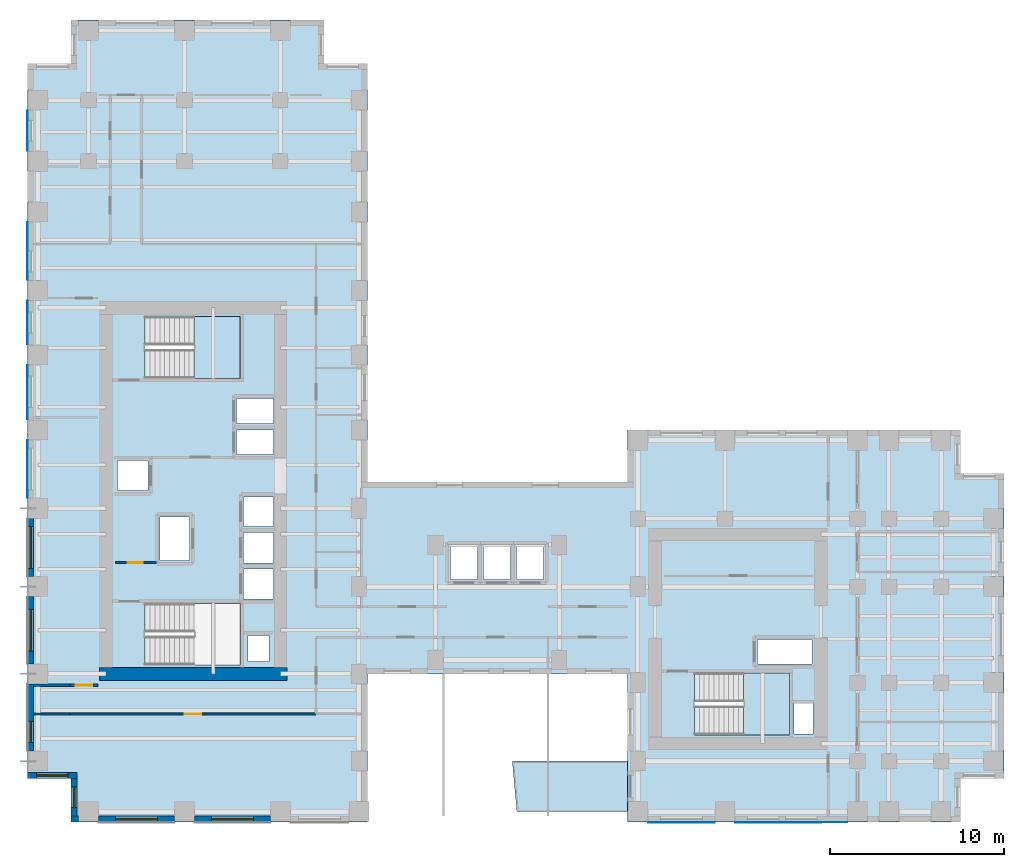
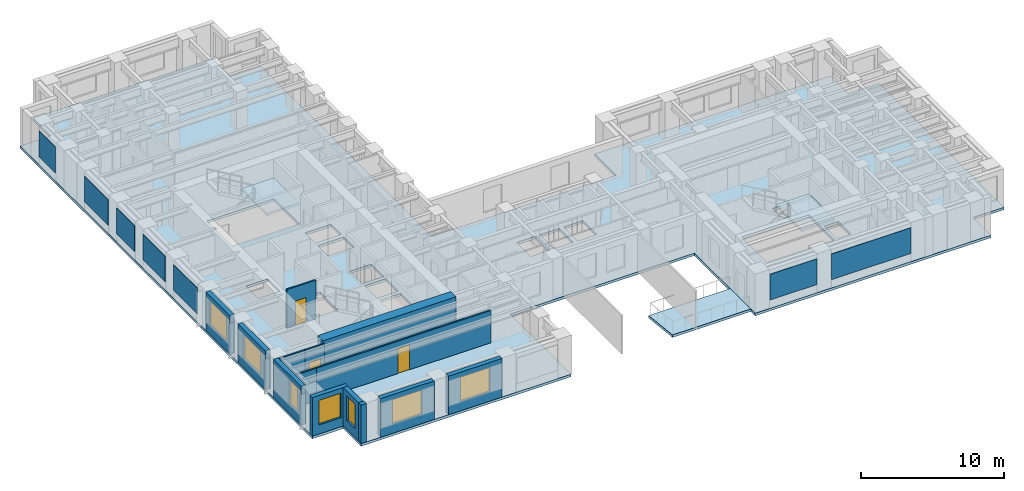
# One storey, part 3 of 12: 14 walls, 7 plates, 7 windows, 4 slabs, 3 doors, 10 openings, 2 elements without a shape of their own.
"""IFC4 building model written with IfcOpenShell, lengths in metres."""

import ifcopenshell
import ifcopenshell.guid

model = None  # the IFC model being written
_history = None  # IfcOwnerHistory: only IFC2X3 demands one
_inside = {}  # id of a spatial element -> (the spatial element, [elements in it])
_under = {}  # id of a project, library or spatial element -> (it, [spatial elements below it])
_declared = {}  # id of a project -> (the project, [libraries it declares])
_typed = {}  # id of a type object -> (the type object, [elements of that type])
_made_of = {}  # id of a material, layer set ... -> (it, [elements and type objects made of it])


def new_model(schema):
    """Start an empty IFC model of exactly this schema.

    Asked for "IFC4X3", IfcOpenShell would pick the latest addendum, in which some entities
    have other attributes; the version numbers below select the first issue.
    IFC2X3 requires an IfcOwnerHistory on every rooted entity: one is made here for all.
    """
    global model, _history
    if schema == "IFC4X3":
        model = ifcopenshell.file(schema_version=(4, 3, 0, 0))
    else:
        model = ifcopenshell.file(schema=schema)
    _inside.clear()
    _under.clear()
    _declared.clear()
    _typed.clear()
    _made_of.clear()
    _history = None
    if model.schema == "IFC2X3":
        org = make("IfcOrganization", Name="unknown")
        user = make(
            "IfcPersonAndOrganization",
            ThePerson=make("IfcPerson", FamilyName="unknown"),
            TheOrganization=org,
        )
        app = make(
            "IfcApplication",
            ApplicationDeveloper=org,
            Version="unknown",
            ApplicationFullName="unknown",
            ApplicationIdentifier="unknown",
        )
        _history = make(
            "IfcOwnerHistory",
            OwningUser=user,
            OwningApplication=app,
            ChangeAction="ADDED",
            CreationDate=0,
        )
    return model


def make(cls, **values):
    """One entity of the class cls with the attributes given. An attribute that is None is left unset."""
    return model.create_entity(
        cls, **{name: value for name, value in values.items() if value is not None}
    )


def rooted(cls, **values):
    """An entity with a GlobalId (a new one), such as an element, a storey or a relation."""
    return make(cls, GlobalId=ifcopenshell.guid.new(), OwnerHistory=_history, **values)


def si_unit(unit_type, name, prefix=None):
    """IfcSIUnit, for example si_unit("LENGTHUNIT", "METRE", prefix="MILLI")."""
    return make("IfcSIUnit", UnitType=unit_type, Prefix=prefix, Name=name)


def assignment(units):
    """IfcUnitAssignment: the units of a project."""
    return None if units is None else make("IfcUnitAssignment", Units=units)


def point(xyz):
    """IfcCartesianPoint."""
    return None if xyz is None else make("IfcCartesianPoint", Coordinates=xyz)


def direction(xyz):
    """IfcDirection."""
    return None if xyz is None else make("IfcDirection", DirectionRatios=xyz)


def frame(location, z_axis=None, x_axis=None):
    """IfcAxis2Placement3D, a coordinate frame: its origin and axes. An axis left out is left unset."""
    return make(
        "IfcAxis2Placement3D",
        Location=point(location),
        Axis=direction(z_axis),
        RefDirection=direction(x_axis),
    )


def frame_2d(location, x_axis=None):
    """IfcAxis2Placement2D, a coordinate frame in the plane: its origin and x axis."""
    return make(
        "IfcAxis2Placement2D", Location=point(location), RefDirection=direction(x_axis)
    )


def origin():
    """The frame at (0, 0, 0) with its axes left unset."""
    return frame((0.0, 0.0, 0.0))


def origin_2d():
    """The frame at (0, 0) in the plane with its x axis left unset."""
    return frame_2d((0.0, 0.0))


def place(relative_to, where):
    """IfcLocalPlacement: puts the frame where relative to a parent placement (None: the world)."""
    return make(
        "IfcLocalPlacement", PlacementRelTo=relative_to, RelativePlacement=where
    )


def context(
    kind, dimensions, precision=None, world=None, true_north=None, identifier=None
):
    """IfcGeometricRepresentationContext, for example the 3D "Model" context."""
    return make(
        "IfcGeometricRepresentationContext",
        ContextIdentifier=identifier,
        ContextType=kind,
        CoordinateSpaceDimension=dimensions,
        Precision=precision,
        WorldCoordinateSystem=world,
        TrueNorth=true_north,
    )


def subcontext(parent, identifier, kind, view, scale=None):
    """IfcGeometricRepresentationSubContext, for example "Body" below "Model"."""
    return make(
        "IfcGeometricRepresentationSubContext",
        ContextIdentifier=identifier,
        ContextType=kind,
        ParentContext=parent,
        TargetScale=scale,
        TargetView=view,
    )


def project(units=None, contexts=None):
    """IfcProject with its units and contexts."""
    return rooted(
        "IfcProject",
        Name="project",
        RepresentationContexts=contexts,
        UnitsInContext=assignment(units),
    )


def spatial(cls, under=None, at=None, **own):
    """A site, building, storey or space (cls), placed at a placement, below another one or the project."""
    s = rooted(cls, ObjectPlacement=at, **own)
    if under is not None:
        _under.setdefault(under.id(), (under, []))[1].append(s)
    return s


def polyline(points):
    """IfcPolyline through the points."""
    return make("IfcPolyline", Points=[point(p) for p in points])


def profile(cls, at=None, kind="AREA", **sizes):
    """A parametric profile (cls). Its sizes go by their IFC names, for example OverallWidth=200.0."""
    return make(cls, ProfileType=kind, Position=at, **sizes)


def rectangle(**sizes):
    """IfcRectangleProfileDef."""
    return profile("IfcRectangleProfileDef", **sizes)


def outline(outer, holes=None, kind="AREA"):
    """IfcArbitraryClosedProfileDef: a profile drawn as a closed curve; with holes, ...WithVoids."""
    if holes is None:
        return make("IfcArbitraryClosedProfileDef", ProfileType=kind, OuterCurve=outer)
    return make(
        "IfcArbitraryProfileDefWithVoids",
        ProfileType=kind,
        OuterCurve=outer,
        InnerCurves=holes,
    )


def extrude(swept, where, along, depth):
    """IfcExtrudedAreaSolid: the profile swept, set in the frame where, extruded along a direction by depth."""
    return make(
        "IfcExtrudedAreaSolid",
        SweptArea=swept,
        Position=where,
        ExtrudedDirection=direction(along),
        Depth=depth,
    )


def shape(context_of_items, identifier, shape_type, items):
    """IfcShapeRepresentation: the items that make up one representation, for example the "Body"."""
    return make(
        "IfcShapeRepresentation",
        ContextOfItems=context_of_items,
        RepresentationIdentifier=identifier,
        RepresentationType=shape_type,
        Items=items,
    )


def source(mapping_origin, context_of_items, identifier, shape_type, items):
    """IfcRepresentationMap: a shape defined once, which mapped items show again and again."""
    return make(
        "IfcRepresentationMap",
        MappingOrigin=mapping_origin,
        MappedRepresentation=shape(context_of_items, identifier, shape_type, items),
    )


def transform(
    local_origin,
    x_axis=None,
    y_axis=None,
    z_axis=None,
    scale=None,
    scale2=None,
    scale3=None,
    uniform=True,
):
    """IfcCartesianTransformationOperator3D, or its non-uniform kind. x_axis, y_axis, z_axis: its Axis1, 2, 3."""
    if uniform:
        return make(
            "IfcCartesianTransformationOperator3D",
            Axis1=direction(x_axis),
            Axis2=direction(y_axis),
            LocalOrigin=point(local_origin),
            Scale=scale,
            Axis3=direction(z_axis),
        )
    return make(
        "IfcCartesianTransformationOperator3DnonUniform",
        Axis1=direction(x_axis),
        Axis2=direction(y_axis),
        LocalOrigin=point(local_origin),
        Scale=scale,
        Axis3=direction(z_axis),
        Scale2=scale2,
        Scale3=scale3,
    )


def mapped(mapping_source, mapping_target):
    """IfcMappedItem: shows the shape of a source again, moved by a transform."""
    return make(
        "IfcMappedItem", MappingSource=mapping_source, MappingTarget=mapping_target
    )


def material(Name=None, Category=None):
    """IfcMaterial."""
    return make("IfcMaterial", Name=Name, Category=Category)


def layer(
    of_material, thickness, ventilated=None, Name=None, Category=None, Priority=None
):
    """IfcMaterialLayer: one layer of a wall or slab, of a material (None: an air gap)."""
    return make(
        "IfcMaterialLayer",
        Material=of_material,
        LayerThickness=thickness,
        IsVentilated=ventilated,
        Name=Name,
        Category=Category,
        Priority=Priority,
    )


def layer_set(layers, Name=None):
    """IfcMaterialLayerSet."""
    return make("IfcMaterialLayerSet", MaterialLayers=layers, LayerSetName=Name)


def made_of(thing, what):
    """Note that an element or type object is made of a material, layer set ...; save() writes the relation."""
    if what is not None:
        _made_of.setdefault(what.id(), (what, []))[1].append(thing)
    return thing


def type_object(cls, material=None, **own):
    """A type object (cls), such as IfcWallType, which elements share."""
    return made_of(rooted(cls, **own), material)


def element(
    cls,
    number,
    at=None,
    inside=None,
    cuts=None,
    type_object=None,
    material=None,
    context=None,
    identifier="Body",
    shape_type=None,
    held_by="IfcProductDefinitionShape",
    body=None,
    shapes=None,
    **own,
):
    """One element of the class cls, such as IfcWall. Its Tag is "e" and its number.

    at: its placement. inside: the storey or other place that contains it. cuts: it is an
    opening in that element (IfcRelVoidsElement). A single representation is given by context,
    identifier, shape_type and body (its items); several are given by shapes. held_by: the class
    of the entity that holds the representations. save() writes the other relations.
    """
    e = rooted(cls, Tag="e%d" % number, ObjectPlacement=at, **own)
    if body is not None:
        shapes = [shape(context, identifier, shape_type, body)]
    if shapes is not None:
        e.Representation = make(held_by, Representations=shapes)
    if inside is not None:
        _inside.setdefault(inside.id(), (inside, []))[1].append(e)
    if cuts is not None:
        rooted(
            "IfcRelVoidsElement", RelatingBuildingElement=cuts, RelatedOpeningElement=e
        )
    if type_object is not None:
        _typed.setdefault(type_object.id(), (type_object, []))[1].append(e)
    return made_of(e, material)


def fill(opening, filler):
    """IfcRelFillsElement: the door or window that sits in an opening."""
    return rooted(
        "IfcRelFillsElement",
        RelatingOpeningElement=opening,
        RelatedBuildingElement=filler,
    )


def aggregate(whole, parts):
    """IfcRelAggregates: a whole, such as a stair, and the parts it consists of."""
    return rooted("IfcRelAggregates", RelatingObject=whole, RelatedObjects=parts)


def save(model, path):
    """Write the relations noted so far, then the file.

    IfcRelAggregates (storeys below a building ...), IfcRelContainedInSpatialStructure (elements
    in a storey), IfcRelDefinesByType, IfcRelAssociatesMaterial and IfcRelDeclares: one each for
    every whole, place, type object, material and project.
    """
    for whole, parts in _under.values():
        aggregate(whole, parts)
    for where, things in _inside.values():
        rooted(
            "IfcRelContainedInSpatialStructure",
            RelatedElements=things,
            RelatingStructure=where,
        )
    for kind, things in _typed.values():
        rooted("IfcRelDefinesByType", RelatedObjects=things, RelatingType=kind)
    for what, things in _made_of.values():
        rooted("IfcRelAssociatesMaterial", RelatedObjects=things, RelatingMaterial=what)
    for by, libraries in _declared.values():
        rooted("IfcRelDeclares", RelatingContext=by, RelatedDefinitions=libraries)
    model.write(path)


model = new_model("IFC4")

# Units and contexts
model_context = context("Model", 3, precision=1e-05, world=origin(), true_north=direction((0.0, 1.0)))
body_context = subcontext(model_context, "Body", "Model", "MODEL_VIEW")
ifc_project = project(units=[si_unit("LENGTHUNIT", "METRE"), si_unit("AREAUNIT", "SQUARE_METRE"), si_unit("VOLUMEUNIT", "CUBIC_METRE"), si_unit("PLANEANGLEUNIT", "RADIAN"), si_unit("MASSUNIT", "GRAM", prefix="KILO")], contexts=[model_context])

# Site, building, storey
site_placement = place(None, origin())
site = spatial("IfcSite", under=ifc_project, at=site_placement, CompositionType="ELEMENT")
building_placement = place(site_placement, origin())
building = spatial("IfcBuilding", under=site, at=building_placement, Name="Kharzan Plaza Tower", CompositionType="ELEMENT")
storey_placement = place(building_placement, frame((0.0, 0.0, 135.0)))
storey = spatial("IfcBuildingStorey", under=building, at=storey_placement, Name="L36", CompositionType="ELEMENT", Elevation=135.0)

# Slab
ifc_material_1 = material(Name="Concrete C40/50", Category="concrete")
ifc_layer_1 = layer(ifc_material_1, 0.219970703125)
ifc_layer_set_1 = layer_set([ifc_layer_1], Name="Concrete C40/50")
slab_type_1 = type_object("IfcSlabType", Name="SL-FLOOR-220", PredefinedType="FLOOR", material=ifc_layer_set_1)
slab_1_placement = place(storey_placement, frame((0.0, 0.0, -0.219970703125)))
element("IfcSlab", 1, at=slab_1_placement, inside=storey, type_object=slab_type_1, Name="L36 Composite Structural Floor Slab 220 mm", PredefinedType="FLOOR", context=body_context, shape_type="SweptSolid", body=[
    extrude(outline(polyline([(34.39990234375, 19.5), (19.5, 19.5), (19.5, 43.5), (17.0, 43.5), (17.0, 46.0), (2.5, 46.0), (2.5, 43.5), (0.0, 43.5), (0.0, 2.5), (2.5, 2.5), (2.5, 0.0), (19.5, 0.0), (19.5, 8.5), (34.39990234375, 8.5), (34.39990234375, 0.0), (53.5, 0.0), (53.5, 2.5), (56.0, 2.5), (56.0, 20.0), (53.5, 20.0), (53.5, 22.5), (34.39990234375, 22.5), (34.39990234375, 19.5)]), holes=[polyline([(12.199951171875, 9.0), (12.199951171875, 12.550048828125), (6.75, 12.550048828125), (6.75, 9.0), (12.199951171875, 9.0)]), polyline([(14.10009765625, 12.800048828125), (14.10009765625, 14.530029296875), (12.39990234375, 14.530029296875), (12.39990234375, 12.800048828125), (14.10009765625, 12.800048828125)]), polyline([(14.10009765625, 14.8701171875), (14.10009765625, 16.60009765625), (12.39990234375, 16.60009765625), (12.39990234375, 14.8701171875), (14.10009765625, 14.8701171875)]), polyline([(9.300048828125, 15.0), (9.300048828125, 17.5), (7.60009765625, 17.5), (7.60009765625, 15.0), (9.300048828125, 15.0)]), polyline([(6.89990234375, 19.010009765625), (6.89990234375, 20.72998046875), (5.14990234375, 20.72998046875), (5.14990234375, 19.010009765625), (6.89990234375, 19.010009765625)]), polyline([(14.10009765625, 21.070068359375), (14.10009765625, 22.489990234375), (12.0, 22.489990234375), (12.0, 21.070068359375), (14.10009765625, 21.070068359375)]), polyline([(14.10009765625, 22.8701171875), (14.10009765625, 24.2900390625), (12.0, 24.2900390625), (12.0, 22.8701171875), (14.10009765625, 22.8701171875)]), polyline([(12.199951171875, 25.449951171875), (12.199951171875, 29.0), (6.75, 29.0), (6.75, 25.449951171875), (12.199951171875, 25.449951171875)]), polyline([(45.050048828125, 5.050048828125), (45.050048828125, 6.800048828125), (43.949951171875, 6.800048828125), (43.949951171875, 5.050048828125), (45.050048828125, 5.050048828125)]), polyline([(43.699951171875, 5.0), (43.699951171875, 8.550048828125), (38.25, 8.550048828125), (38.25, 5.0), (43.699951171875, 5.0)]), polyline([(45.0, 9.070068359375), (45.0, 10.469970703125), (41.85009765625, 10.469970703125), (41.85009765625, 9.070068359375), (45.0, 9.070068359375)]), polyline([(13.85009765625, 9.199951171875), (13.85009765625, 10.699951171875), (12.64990234375, 10.699951171875), (12.64990234375, 9.199951171875), (13.85009765625, 9.199951171875)]), polyline([(25.800048828125, 13.89990234375), (25.800048828125, 15.85009765625), (24.25, 15.85009765625), (24.25, 13.89990234375), (25.800048828125, 13.89990234375)]), polyline([(27.699951171875, 13.89990234375), (27.699951171875, 15.85009765625), (26.14990234375, 15.85009765625), (26.14990234375, 13.89990234375), (27.699951171875, 13.89990234375)]), polyline([(29.60009765625, 13.89990234375), (29.60009765625, 15.85009765625), (28.050048828125, 15.85009765625), (28.050048828125, 13.89990234375), (29.60009765625, 13.89990234375)]), polyline([(14.10009765625, 16.93994140625), (14.10009765625, 18.64990234375), (12.39990234375, 18.64990234375), (12.39990234375, 16.93994140625), (14.10009765625, 16.93994140625)])]), origin(), (0.0, 0.0, 1.0), 0.219970703125),
])

# Stair, slab
stair_type_1 = type_object("IfcStairType", Name="STR-ST-2", PredefinedType="HALF_TURN_STAIR", material=ifc_material_1)
stair_1_placement = place(storey_placement, origin())
stair_1 = element("IfcStair", 2, at=stair_1_placement, inside=storey, type_object=stair_type_1, Name="L36 Protected Exit Stair ST-2", PredefinedType="HALF_TURN_STAIR")
ifc_layer_2 = layer(ifc_material_1, 0.219970703125)
ifc_layer_set_2 = layer_set([ifc_layer_2], Name="Concrete C40/50")
slab_type_2 = type_object("IfcSlabType", Name="SL-LANDING-220", PredefinedType="LANDING", material=ifc_layer_set_2)
slab_2_placement = place(storey_placement, frame((0.0, 0.0, 1.60009765625)))
slab_2 = element("IfcSlab", 3, at=slab_2_placement, type_object=slab_type_2, Name="ST-2 landing 1", PredefinedType="LANDING", context=body_context, shape_type="SweptSolid", body=[
    extrude(outline(polyline([(9.550048828125, 25.449951171875), (12.199951171875, 25.449951171875), (12.199951171875, 29.0), (9.550048828125, 29.0), (9.550048828125, 25.449951171875)])), origin(), (0.0, 0.0, 1.0), 0.199951171875),
])
aggregate(stair_1, [slab_2])

stair_type_2 = type_object("IfcStairType", Name="STR-ST-3", PredefinedType="HALF_TURN_STAIR", material=ifc_material_1)
stair_2_placement = place(storey_placement, origin())
stair_2 = element("IfcStair", 4, at=stair_2_placement, inside=storey, type_object=stair_type_2, Name="L36 Protected Exit Stair ST-3", PredefinedType="HALF_TURN_STAIR")
slab_3_placement = place(storey_placement, frame((0.0, 0.0, 1.60009765625)))
slab_3 = element("IfcSlab", 5, at=slab_3_placement, type_object=slab_type_2, Name="ST-3 landing 1", PredefinedType="LANDING", context=body_context, shape_type="SweptSolid", body=[
    extrude(outline(polyline([(41.050048828125, 5.0), (43.699951171875, 5.0), (43.699951171875, 8.550048828125), (41.050048828125, 8.550048828125), (41.050048828125, 5.0)])), origin(), (0.0, 0.0, 1.0), 0.199951171875),
])
aggregate(stair_2, [slab_3])

# Slab
ifc_layer_3 = layer(ifc_material_1, 0.215087890625)
ifc_layer_set_3 = layer_set([ifc_layer_3], Name="Concrete C40/50")
slab_type_3 = type_object("IfcSlabType", Name="SL-TRAY-215", PredefinedType="ROOF", material=ifc_layer_set_3)
slab_4_placement = place(storey_placement, frame((0.0, 0.0, -0.215087890625)))
element("IfcSlab", 6, at=slab_4_placement, inside=storey, type_object=slab_type_3, Name="L36 Sky Terrace Tray Slab", PredefinedType="ROOF", context=body_context, shape_type="SweptSolid", body=[
    extrude(outline(polyline([(28.06396484375, 0.60009765625), (34.39990234375, 0.60009765625), (34.39990234375, 3.5), (27.800048828125, 3.5), (28.06396484375, 0.60009765625)])), origin(), (0.0, 0.0, 1.0), 0.215087890625),
])

# Plates
ifc_material_2 = material(Name="Perforated Bronze-Anodized Aluminium", Category="aluminium")
ifc_layer_4 = layer(ifc_material_2, 0.030029296875)
ifc_layer_set_4 = layer_set([ifc_layer_4], Name="Perforated Bronze-Anodized Aluminium")
plate_type = type_object("IfcPlateType", Name="PLT-MASH-SCREEN", PredefinedType="SHEET", material=ifc_layer_set_4)
shared_shape_1 = source(origin(), body_context, "Body", "SweptSolid", [
    extrude(rectangle(XDim=2.31396484375, YDim=0.030029296875, at=origin_2d()), origin(), (0.0, 0.0, 1.0), 2.199951171875),
])
plate_1_placement = place(storey_placement, frame((-0.012939453125, 39.64990234375, 0.72998046875), z_axis=(0.0, 0.0, 1.0), x_axis=(0.0, -1.0, 0.0)))
element("IfcPlate", 7, at=plate_1_placement, inside=storey, type_object=plate_type, Name="L36 Perforated Mashrabiya Solar Screen", PredefinedType="SHEET", context=body_context, shape_type="MappedRepresentation", body=[
    mapped(shared_shape_1, transform((0.0, 0.0, 0.0), x_axis=(1.0, 0.0, 0.0), y_axis=(0.0, 1.0, 0.0), z_axis=(0.0, 0.0, 1.0))),
])
shared_shape_2 = source(origin(), body_context, "Body", "SweptSolid", [
    extrude(rectangle(XDim=3.31396484375, YDim=0.030029296875, at=origin_2d()), origin(), (0.0, 0.0, 1.0), 2.199951171875),
])
for number, where, z_axis, x_axis, name in (
    (8, (-0.012939453125, 32.75, 0.72998046875), (0.0, 0.0, 1.0), (0.0, -1.0, 0.0), "L36 Perforated Mashrabiya Solar Screen"),
    (9, (-0.012939453125, 20.25, 0.72998046875), (0.0, 0.0, 1.0), (0.0, -1.0, 0.0), "L36 Perforated Mashrabiya Solar Screen"),
):
    element("IfcPlate", number, at=place(storey_placement, frame(where, z_axis=z_axis, x_axis=x_axis)), inside=storey, type_object=plate_type, Name=name, PredefinedType="SHEET", context=body_context, shape_type="MappedRepresentation", body=[
        mapped(shared_shape_2, transform((0.0, 0.0, 0.0), x_axis=(1.0, 0.0, 0.0), y_axis=(0.0, 1.0, 0.0), z_axis=(0.0, 0.0, 1.0))),
    ])
shared_shape_3 = source(origin(), body_context, "Body", "SweptSolid", [
    extrude(rectangle(XDim=2.513916015625, YDim=0.030029296875, at=origin_2d()), origin(), (0.0, 0.0, 1.0), 2.199951171875),
])
plate_2_placement = place(storey_placement, frame((-0.012939453125, 28.64990234375, 0.72998046875), z_axis=(0.0, 0.0, 1.0), x_axis=(0.0, -1.0, 0.0)))
element("IfcPlate", 10, at=plate_2_placement, inside=storey, type_object=plate_type, Name="L36 Perforated Mashrabiya Solar Screen", PredefinedType="SHEET", context=body_context, shape_type="MappedRepresentation", body=[
    mapped(shared_shape_3, transform((0.0, 0.0, 0.0), x_axis=(1.0, 0.0, 0.0), y_axis=(0.0, 1.0, 0.0), z_axis=(0.0, 0.0, 1.0))),
])
shared_shape_4 = source(origin(), body_context, "Body", "SweptSolid", [
    extrude(rectangle(XDim=3.81396484375, YDim=0.030029296875, at=origin_2d()), origin(), (0.0, 0.0, 1.0), 2.199951171875),
])
plate_3_placement = place(storey_placement, frame((37.5, -0.012939453125, 0.72998046875), z_axis=(0.0, 0.0, 1.0), x_axis=(1.0, 0.0, 0.0)))
element("IfcPlate", 11, at=plate_3_placement, inside=storey, type_object=plate_type, Name="L36 Perforated Mashrabiya Solar Screen", PredefinedType="SHEET", context=body_context, shape_type="MappedRepresentation", body=[
    mapped(shared_shape_4, transform((0.0, 0.0, 0.0), x_axis=(1.0, 0.0, 0.0), y_axis=(0.0, 1.0, 0.0), z_axis=(0.0, 0.0, 1.0))),
])
shared_shape_5 = source(origin(), body_context, "Body", "SweptSolid", [
    extrude(rectangle(XDim=6.4140625, YDim=0.030029296875, at=origin_2d()), origin(), (0.0, 0.0, 1.0), 2.199951171875),
])
plate_4_placement = place(storey_placement, frame((43.800048828125, -0.012939453125, 0.72998046875), z_axis=(0.0, 0.0, 1.0), x_axis=(1.0, 0.0, 0.0)))
element("IfcPlate", 12, at=plate_4_placement, inside=storey, type_object=plate_type, Name="L36 Perforated Mashrabiya Solar Screen", PredefinedType="SHEET", context=body_context, shape_type="MappedRepresentation", body=[
    mapped(shared_shape_5, transform((0.0, 0.0, 0.0), x_axis=(1.0, 0.0, 0.0), y_axis=(0.0, 1.0, 0.0), z_axis=(0.0, 0.0, 1.0))),
])
shared_shape_6 = source(origin(), body_context, "Body", "SweptSolid", [
    extrude(rectangle(XDim=3.114013671875, YDim=0.030029296875, at=origin_2d()), origin(), (0.0, 0.0, 1.0), 2.199951171875),
])
plate_5_placement = place(storey_placement, frame((-0.012939453125, 24.64990234375, 0.72998046875), z_axis=(0.0, 0.0, 1.0), x_axis=(0.0, -1.0, 0.0)))
element("IfcPlate", 13, at=plate_5_placement, inside=storey, type_object=plate_type, Name="L36 Perforated Mashrabiya Solar Screen", PredefinedType="SHEET", context=body_context, shape_type="MappedRepresentation", body=[
    mapped(shared_shape_6, transform((0.0, 0.0, 0.0), x_axis=(1.0, 0.0, 0.0), y_axis=(0.0, 1.0, 0.0), z_axis=(0.0, 0.0, 1.0))),
])

# Wall, opening, window
ifc_layer_5 = layer(ifc_material_1, 0.35009765625)
ifc_layer_set_5 = layer_set([ifc_layer_5], Name="Concrete C40/50")
wall_type_1 = type_object("IfcWallType", Name="WL-EXT-MAS-Z2", PredefinedType="SOLIDWALL", material=ifc_layer_set_5)
wall_1_placement = place(storey_placement, frame((0.175048828125, 17.427001953125, 0.0), z_axis=(0.0, 0.0, 1.0), x_axis=(0.0, -1.0, 0.0)))
wall_1 = element("IfcWall", 14, at=wall_1_placement, inside=storey, type_object=wall_type_1, Name="L36 Masonry-Frame Exterior Wall 23", PredefinedType="SOLIDWALL", context=body_context, shape_type="SweptSolid", body=[
    extrude(rectangle(XDim=3.35400390625, YDim=0.35009765625, at=frame_2d((1.677001953125, 0.0))), origin(), (0.0, 0.0, 1.0), 3.304931640625),
])
opening_1_placement = place(wall_1_placement, frame((0.47705078125, 0.0, 0.780029296875)))
opening_1 = element("IfcOpeningElement", 15, at=opening_1_placement, cuts=wall_1, Name="Opening W2", PredefinedType="OPENING", context=body_context, shape_type="SweptSolid", body=[
    extrude(rectangle(XDim=2.39990234375, YDim=2.10009765625, at=frame_2d((1.199951171875, 1.050048828125))), frame((0.0, 0.18505859375, 0.0), z_axis=(0.0, -1.0, 0.0), x_axis=(1.0, 0.0, 0.0)), (0.0, 0.0, 1.0), 0.3701171875),
])
ifc_material_3 = material(Name="Low-E Double Glazing", Category="glass")
window_type_1 = type_object("IfcWindowType", Name="WN-REC-2400x2100", PartitioningType="SINGLE_PANEL", PredefinedType="WINDOW", material=ifc_material_3)
shared_shape_7 = source(origin(), body_context, "Body", "SweptSolid", [
    extrude(rectangle(XDim=2.39990234375, YDim=2.10009765625, at=frame_2d((1.199951171875, 1.050048828125))), frame((0.0, 0.030029296875, 0.0), z_axis=(0.0, -1.0, 0.0), x_axis=(1.0, 0.0, 0.0)), (0.0, 0.0, 1.0), 0.06005859375),
])
window_1_placement = place(opening_1_placement, origin())
window_1 = element("IfcWindow", 16, at=window_1_placement, inside=storey, type_object=window_type_1, Name="L36 Wide Recessed Solar-Control Window 23-1", OverallHeight=2.10009765625, OverallWidth=2.39990234375, PartitioningType="SINGLE_PANEL", PredefinedType="WINDOW", context=body_context, shape_type="MappedRepresentation", body=[
    mapped(shared_shape_7, transform((0.0, 0.0, 0.0), x_axis=(1.0, 0.0, 0.0), y_axis=(0.0, 1.0, 0.0), z_axis=(0.0, 0.0, 1.0))),
])
fill(opening_1, window_1)

wall_2_placement = place(storey_placement, frame((0.175048828125, 12.927001953125, 0.0), z_axis=(0.0, 0.0, 1.0), x_axis=(0.0, -1.0, 0.0)))
wall_2 = element("IfcWall", 17, at=wall_2_placement, inside=storey, type_object=wall_type_1, Name="L36 Masonry-Frame Exterior Wall 24", PredefinedType="SOLIDWALL", context=body_context, shape_type="SweptSolid", body=[
    extrude(rectangle(XDim=3.85400390625, YDim=0.35009765625, at=frame_2d((1.927001953125, 0.0))), origin(), (0.0, 0.0, 1.0), 3.304931640625),
])
opening_2_placement = place(wall_2_placement, frame((0.72705078125, 0.0, 0.780029296875)))
opening_2 = element("IfcOpeningElement", 18, at=opening_2_placement, cuts=wall_2, Name="Opening W2", PredefinedType="OPENING", context=body_context, shape_type="SweptSolid", body=[
    extrude(rectangle(XDim=2.39990234375, YDim=2.10009765625, at=frame_2d((1.199951171875, 1.050048828125))), frame((0.0, 0.18505859375, 0.0), z_axis=(0.0, -1.0, 0.0), x_axis=(1.0, 0.0, 0.0)), (0.0, 0.0, 1.0), 0.3701171875),
])
window_2_placement = place(opening_2_placement, origin())
window_2 = element("IfcWindow", 19, at=window_2_placement, inside=storey, type_object=window_type_1, Name="L36 Wide Recessed Solar-Control Window 24-1", OverallHeight=2.10009765625, OverallWidth=2.39990234375, PartitioningType="SINGLE_PANEL", PredefinedType="WINDOW", context=body_context, shape_type="MappedRepresentation", body=[
    mapped(shared_shape_7, transform((0.0, 0.0, 0.0), x_axis=(1.0, 0.0, 0.0), y_axis=(0.0, 1.0, 0.0), z_axis=(0.0, 0.0, 1.0))),
])
fill(opening_2, window_2)

wall_3_placement = place(storey_placement, frame((0.175048828125, 7.927001953125, 0.0), z_axis=(0.0, 0.0, 1.0), x_axis=(0.0, -1.0, 0.0)))
wall_3 = element("IfcWall", 20, at=wall_3_placement, inside=storey, type_object=wall_type_1, Name="L36 Masonry-Frame Exterior Wall 25", PredefinedType="SOLIDWALL", context=body_context, shape_type="SweptSolid", body=[
    extrude(rectangle(XDim=3.85400390625, YDim=0.35009765625, at=frame_2d((1.927001953125, 0.0))), origin(), (0.0, 0.0, 1.0), 3.304931640625),
])
opening_3_placement = place(wall_3_placement, frame((2.155517578125, 0.0, 0.780029296875)))
opening_3 = element("IfcOpeningElement", 21, at=opening_3_placement, cuts=wall_3, Name="Opening W3", PredefinedType="OPENING", context=body_context, shape_type="SweptSolid", body=[
    extrude(rectangle(XDim=1.199951171875, YDim=2.10009765625, at=frame_2d((0.60009765625, 1.050048828125))), frame((0.0, 0.18505859375, 0.0), z_axis=(0.0, -1.0, 0.0), x_axis=(1.0, 0.0, 0.0)), (0.0, 0.0, 1.0), 0.3701171875),
])
window_type_2 = type_object("IfcWindowType", Name="WN-REC-1200x2100", PartitioningType="SINGLE_PANEL", PredefinedType="WINDOW", material=ifc_material_3)
shared_shape_8 = source(origin(), body_context, "Body", "SweptSolid", [
    extrude(rectangle(XDim=1.199951171875, YDim=2.10009765625, at=frame_2d((0.60009765625, 1.050048828125))), frame((0.0, 0.030029296875, 0.0), z_axis=(0.0, -1.0, 0.0), x_axis=(1.0, 0.0, 0.0)), (0.0, 0.0, 1.0), 0.06005859375),
])
window_3_placement = place(opening_3_placement, origin())
window_3 = element("IfcWindow", 22, at=window_3_placement, inside=storey, type_object=window_type_2, Name="L36 Recessed Solar-Control Window 25-1", OverallHeight=2.10009765625, OverallWidth=1.199951171875, PartitioningType="SINGLE_PANEL", PredefinedType="WINDOW", context=body_context, shape_type="MappedRepresentation", body=[
    mapped(shared_shape_8, transform((0.0, 0.0, 0.0), x_axis=(1.0, 0.0, 0.0), y_axis=(0.0, 1.0, 0.0), z_axis=(0.0, 0.0, 1.0))),
])
fill(opening_3, window_3)

wall_4_placement = place(storey_placement, frame((0.0, 2.675048828125, 0.0), z_axis=(0.0, 0.0, 1.0), x_axis=(1.0, 0.0, 0.0)))
wall_4 = element("IfcWall", 23, at=wall_4_placement, inside=storey, type_object=wall_type_1, Name="L36 Masonry-Frame Exterior Wall 26", PredefinedType="SOLIDWALL", context=body_context, shape_type="SweptSolid", body=[
    extrude(rectangle(XDim=2.85009765625, YDim=0.35009765625, at=frame_2d((1.425048828125, 0.0))), origin(), (0.0, 0.0, 1.0), 3.304931640625),
])
opening_4_placement = place(wall_4_placement, frame((0.52490234375, 0.0, 0.780029296875)))
opening_4 = element("IfcOpeningElement", 24, at=opening_4_placement, cuts=wall_4, Name="Opening W1", PredefinedType="OPENING", context=body_context, shape_type="SweptSolid", body=[
    extrude(rectangle(XDim=1.800048828125, YDim=2.10009765625, at=frame_2d((0.89990234375, 1.050048828125))), frame((0.0, 0.18505859375, 0.0), z_axis=(0.0, -1.0, 0.0), x_axis=(1.0, 0.0, 0.0)), (0.0, 0.0, 1.0), 0.3701171875),
])
window_type_3 = type_object("IfcWindowType", Name="WN-REC-1800x2100", PartitioningType="SINGLE_PANEL", PredefinedType="WINDOW", material=ifc_material_3)
shared_shape_9 = source(origin(), body_context, "Body", "SweptSolid", [
    extrude(rectangle(XDim=1.800048828125, YDim=2.10009765625, at=frame_2d((0.89990234375, 1.050048828125))), frame((0.0, 0.030029296875, 0.0), z_axis=(0.0, -1.0, 0.0), x_axis=(1.0, 0.0, 0.0)), (0.0, 0.0, 1.0), 0.06005859375),
])
window_4_placement = place(opening_4_placement, origin())
window_4 = element("IfcWindow", 25, at=window_4_placement, inside=storey, type_object=window_type_3, Name="L36 Recessed Solar-Control Window 26-1", OverallHeight=2.10009765625, OverallWidth=1.800048828125, PartitioningType="SINGLE_PANEL", PredefinedType="WINDOW", context=body_context, shape_type="MappedRepresentation", body=[
    mapped(shared_shape_9, transform((0.0, 0.0, 0.0), x_axis=(1.0, 0.0, 0.0), y_axis=(0.0, 1.0, 0.0), z_axis=(0.0, 0.0, 1.0))),
])
fill(opening_4, window_4)

wall_5_placement = place(storey_placement, frame((2.675048828125, 2.501953125, 0.0), z_axis=(0.0, 0.0, 1.0), x_axis=(0.0, -1.0, 0.0)))
wall_5 = element("IfcWall", 26, at=wall_5_placement, inside=storey, type_object=wall_type_1, Name="L36 Masonry-Frame Exterior Wall 27", PredefinedType="SOLIDWALL", context=body_context, shape_type="SweptSolid", body=[
    extrude(rectangle(XDim=2.154052734375, YDim=0.35009765625, at=frame_2d((1.0771484375, 0.0))), origin(), (0.0, 0.0, 1.0), 3.304931640625),
])
opening_5_placement = place(wall_5_placement, frame((0.47705078125, 0.0, 0.780029296875)))
opening_5 = element("IfcOpeningElement", 27, at=opening_5_placement, cuts=wall_5, Name="Opening W3", PredefinedType="OPENING", context=body_context, shape_type="SweptSolid", body=[
    extrude(rectangle(XDim=1.199951171875, YDim=2.10009765625, at=frame_2d((0.60009765625, 1.050048828125))), frame((0.0, 0.18505859375, 0.0), z_axis=(0.0, -1.0, 0.0), x_axis=(1.0, 0.0, 0.0)), (0.0, 0.0, 1.0), 0.3701171875),
])
window_5_placement = place(opening_5_placement, origin())
window_5 = element("IfcWindow", 28, at=window_5_placement, inside=storey, type_object=window_type_2, Name="L36 Recessed Solar-Control Window 27-1", OverallHeight=2.10009765625, OverallWidth=1.199951171875, PartitioningType="SINGLE_PANEL", PredefinedType="WINDOW", context=body_context, shape_type="MappedRepresentation", body=[
    mapped(shared_shape_8, transform((0.0, 0.0, 0.0), x_axis=(1.0, 0.0, 0.0), y_axis=(0.0, 1.0, 0.0), z_axis=(0.0, 0.0, 1.0))),
])
fill(opening_5, window_5)

wall_6_placement = place(storey_placement, frame((4.072998046875, 0.175048828125, 0.0), z_axis=(0.0, 0.0, 1.0), x_axis=(1.0, 0.0, 0.0)))
wall_6 = element("IfcWall", 29, at=wall_6_placement, inside=storey, type_object=wall_type_1, Name="L36 Masonry-Frame Exterior Wall 29", PredefinedType="SOLIDWALL", context=body_context, shape_type="SweptSolid", body=[
    extrude(rectangle(XDim=4.35400390625, YDim=0.35009765625, at=frame_2d((2.177001953125, 0.0))), origin(), (0.0, 0.0, 1.0), 3.304931640625),
])
opening_6_placement = place(wall_6_placement, frame((0.97705078125, 0.0, 0.780029296875)))
opening_6 = element("IfcOpeningElement", 30, at=opening_6_placement, cuts=wall_6, Name="Opening W2", PredefinedType="OPENING", context=body_context, shape_type="SweptSolid", body=[
    extrude(rectangle(XDim=2.39990234375, YDim=2.10009765625, at=frame_2d((1.199951171875, 1.050048828125))), frame((0.0, 0.18505859375, 0.0), z_axis=(0.0, -1.0, 0.0), x_axis=(1.0, 0.0, 0.0)), (0.0, 0.0, 1.0), 0.3701171875),
])
window_6_placement = place(opening_6_placement, origin())
window_6 = element("IfcWindow", 31, at=window_6_placement, inside=storey, type_object=window_type_1, Name="L36 Wide Recessed Solar-Control Window 29-1", OverallHeight=2.10009765625, OverallWidth=2.39990234375, PartitioningType="SINGLE_PANEL", PredefinedType="WINDOW", context=body_context, shape_type="MappedRepresentation", body=[
    mapped(shared_shape_7, transform((0.0, 0.0, 0.0), x_axis=(1.0, 0.0, 0.0), y_axis=(0.0, 1.0, 0.0), z_axis=(0.0, 0.0, 1.0))),
])
fill(opening_6, window_6)

wall_7_placement = place(storey_placement, frame((9.572998046875, 0.175048828125, 0.0), z_axis=(0.0, 0.0, 1.0), x_axis=(1.0, 0.0, 0.0)))
wall_7 = element("IfcWall", 32, at=wall_7_placement, inside=storey, type_object=wall_type_1, Name="L36 Masonry-Frame Exterior Wall 30", PredefinedType="SOLIDWALL", context=body_context, shape_type="SweptSolid", body=[
    extrude(rectangle(XDim=4.35400390625, YDim=0.35009765625, at=frame_2d((2.177001953125, 0.0))), origin(), (0.0, 0.0, 1.0), 3.304931640625),
])
opening_7_placement = place(wall_7_placement, frame((0.97705078125, 0.0, 0.780029296875)))
opening_7 = element("IfcOpeningElement", 33, at=opening_7_placement, cuts=wall_7, Name="Opening W2", PredefinedType="OPENING", context=body_context, shape_type="SweptSolid", body=[
    extrude(rectangle(XDim=2.39990234375, YDim=2.10009765625, at=frame_2d((1.199951171875, 1.050048828125))), frame((0.0, 0.18505859375, 0.0), z_axis=(0.0, -1.0, 0.0), x_axis=(1.0, 0.0, 0.0)), (0.0, 0.0, 1.0), 0.3701171875),
])
window_7_placement = place(opening_7_placement, origin())
window_7 = element("IfcWindow", 34, at=window_7_placement, inside=storey, type_object=window_type_1, Name="L36 Wide Recessed Solar-Control Window 30-1", OverallHeight=2.10009765625, OverallWidth=2.39990234375, PartitioningType="SINGLE_PANEL", PredefinedType="WINDOW", context=body_context, shape_type="MappedRepresentation", body=[
    mapped(shared_shape_7, transform((0.0, 0.0, 0.0), x_axis=(1.0, 0.0, 0.0), y_axis=(0.0, 1.0, 0.0), z_axis=(0.0, 0.0, 1.0))),
])
fill(opening_7, window_7)

# Wall, opening, door
ifc_material_4 = material(Name="Fire-Rated Gypsum Board Partition", Category="gypsum")
ifc_layer_6 = layer(ifc_material_4, 0.125)
ifc_layer_set_6 = layer_set([ifc_layer_6], Name="Fire-Rated Gypsum Board Partition")
wall_type_2 = type_object("IfcWallType", Name="WL-INT-PART-125", PredefinedType="PARTITIONING", material=ifc_layer_set_6)
wall_8_placement = place(storey_placement, frame((5.050048828125, 14.8798828125, 0.0), z_axis=(0.0, 0.0, 1.0), x_axis=(1.0, 0.0, 0.0)))
wall_8 = element("IfcWall", 35, at=wall_8_placement, inside=storey, type_object=wall_type_2, Name="L36 Interior Partition CA-K0", PredefinedType="PARTITIONING", context=body_context, shape_type="SweptSolid", body=[
    extrude(rectangle(XDim=2.349853515625, YDim=0.125, at=frame_2d((1.1748046875, 0.0))), origin(), (0.0, 0.0, 1.0), 3.304931640625),
])
opening_8_placement = place(wall_8_placement, frame((0.699951171875, 0.0, 0.0)))
opening_8 = element("IfcOpeningElement", 36, at=opening_8_placement, cuts=wall_8, Name="Opening RD1", PredefinedType="OPENING", context=body_context, shape_type="SweptSolid", body=[
    extrude(rectangle(XDim=0.85009765625, YDim=2.10009765625, at=frame_2d((0.425048828125, 1.050048828125))), frame((0.0, 0.072509765625, 0.0), z_axis=(0.0, -1.0, 0.0), x_axis=(1.0, 0.0, 0.0)), (0.0, 0.0, 1.0), 0.14501953125),
])
ifc_material_5 = material(Name="Powder-Coated Fire-Rated Steel", Category="steel")
door_type_1 = type_object("IfcDoorType", Name="DR-RISER-900", OperationType="NOTDEFINED", PredefinedType="DOOR", material=ifc_material_5)
shared_shape_10 = source(origin(), body_context, "Body", "SweptSolid", [
    extrude(rectangle(XDim=0.85009765625, YDim=2.10009765625, at=frame_2d((0.425048828125, 1.050048828125))), frame((0.0, 0.02490234375, 0.0), z_axis=(0.0, -1.0, 0.0), x_axis=(1.0, 0.0, 0.0)), (0.0, 0.0, 1.0), 0.050048828125),
])
door_1_placement = place(opening_8_placement, origin())
door_1 = element("IfcDoor", 37, at=door_1_placement, inside=storey, type_object=door_type_1, Name="L36 Cleaners Store Door", OperationType="SINGLE_SWING_RIGHT", OverallHeight=2.10009765625, OverallWidth=0.85009765625, PredefinedType="DOOR", context=body_context, shape_type="MappedRepresentation", body=[
    mapped(shared_shape_10, transform((0.0, 0.0, 0.0), x_axis=(1.0, 0.0, 0.0), y_axis=(0.0, 1.0, 0.0), z_axis=(0.0, 0.0, 1.0))),
])
fill(opening_8, door_1)

wall_9_placement = place(storey_placement, frame((2.449951171875, 7.85009765625, 0.0), z_axis=(0.0, 0.0, 1.0), x_axis=(1.0, 0.0, 0.0)))
wall_9 = element("IfcWall", 38, at=wall_9_placement, inside=storey, type_object=wall_type_2, Name="L36 Interior Partition SH-RWSD", PredefinedType="PARTITIONING", context=body_context, shape_type="SweptSolid", body=[
    extrude(rectangle(XDim=1.60009765625, YDim=0.125, at=frame_2d((0.800048828125, 0.0))), origin(), (0.0, 0.0, 1.0), 3.304931640625),
])
opening_9_placement = place(wall_9_placement, frame((0.324951171875, 0.0, 0.0)))
opening_9 = element("IfcOpeningElement", 39, at=opening_9_placement, cuts=wall_9, Name="Opening OD1", PredefinedType="OPENING", context=body_context, shape_type="SweptSolid", body=[
    extrude(rectangle(XDim=0.949951171875, YDim=2.14990234375, at=frame_2d((0.47509765625, 1.074951171875))), frame((0.0, 0.072509765625, 0.0), z_axis=(0.0, -1.0, 0.0), x_axis=(1.0, 0.0, 0.0)), (0.0, 0.0, 1.0), 0.14501953125),
])
ifc_material_6 = material(Name="Acoustic Solid-Core Stained Oak", Category="timber")
door_type_2 = type_object("IfcDoorType", Name="DR-OFF-SINGLE", OperationType="NOTDEFINED", PredefinedType="DOOR", material=ifc_material_6)
shared_shape_11 = source(origin(), body_context, "Body", "SweptSolid", [
    extrude(rectangle(XDim=0.949951171875, YDim=2.14990234375, at=frame_2d((0.47509765625, 1.074951171875))), frame((0.0, 0.02490234375, 0.0), z_axis=(0.0, -1.0, 0.0), x_axis=(1.0, 0.0, 0.0)), (0.0, 0.0, 1.0), 0.050048828125),
])
door_2_placement = place(opening_9_placement, origin())
door_2 = element("IfcDoor", 40, at=door_2_placement, inside=storey, type_object=door_type_2, Name="L36 West Office 1 Door", OperationType="SINGLE_SWING_LEFT", OverallHeight=2.14990234375, OverallWidth=0.949951171875, PredefinedType="DOOR", context=body_context, shape_type="MappedRepresentation", body=[
    mapped(shared_shape_11, transform((0.0, 0.0, 0.0), x_axis=(1.0, 0.0, 0.0), y_axis=(0.0, 1.0, 0.0), z_axis=(0.0, 0.0, 1.0))),
])
fill(opening_9, door_2)

wall_10_placement = place(storey_placement, frame((2.449951171875, 6.199951171875, 0.0), z_axis=(0.0, 0.0, 1.0), x_axis=(1.0, 0.0, 0.0)))
wall_10 = element("IfcWall", 41, at=wall_10_placement, inside=storey, type_object=wall_type_2, Name="L36 Interior Partition SH-SS-1", PredefinedType="PARTITIONING", context=body_context, shape_type="SweptSolid", body=[
    extrude(rectangle(XDim=14.10009765625, YDim=0.125, at=frame_2d((7.050048828125, 0.0))), origin(), (0.0, 0.0, 1.0), 2.76806640625),
])
opening_10_placement = place(wall_10_placement, frame((6.574951171875, 0.0, 0.0)))
opening_10 = element("IfcOpeningElement", 42, at=opening_10_placement, cuts=wall_10, Name="Opening OD1", PredefinedType="OPENING", context=body_context, shape_type="SweptSolid", body=[
    extrude(rectangle(XDim=0.949951171875, YDim=2.14990234375, at=frame_2d((0.47509765625, 1.074951171875))), frame((0.0, 0.072509765625, 0.0), z_axis=(0.0, -1.0, 0.0), x_axis=(1.0, 0.0, 0.0)), (0.0, 0.0, 1.0), 0.14501953125),
])
door_3_placement = place(opening_10_placement, origin())
door_3 = element("IfcDoor", 43, at=door_3_placement, inside=storey, type_object=door_type_2, Name="L36 Staff Tea Pantry Door", OperationType="SINGLE_SWING_LEFT", OverallHeight=2.14990234375, OverallWidth=0.949951171875, PredefinedType="DOOR", context=body_context, shape_type="MappedRepresentation", body=[
    mapped(shared_shape_11, transform((0.0, 0.0, 0.0), x_axis=(1.0, 0.0, 0.0), y_axis=(0.0, 1.0, 0.0), z_axis=(0.0, 0.0, 1.0))),
])
fill(opening_10, door_3)

# Walls
shared_shape_12 = source(origin(), body_context, "Body", "SweptSolid", [
    extrude(rectangle(XDim=2.097900390625, YDim=0.125, at=frame_2d((1.048828125, 0.0))), origin(), (0.0, 0.0, 1.0), 2.76806640625),
])
wall_11_placement = place(storey_placement, frame((0.35205078125, 6.199951171875, 0.0), z_axis=(0.0, 0.0, 1.0), x_axis=(1.0, 0.0, 0.0)))
element("IfcWall", 44, at=wall_11_placement, inside=storey, type_object=wall_type_2, Name="L36 Interior Partition SH-SS-EXT", PredefinedType="PARTITIONING", context=body_context, shape_type="MappedRepresentation", body=[
    mapped(shared_shape_12, transform((0.0, 0.0, 0.0), x_axis=(1.0, 0.0, 0.0), y_axis=(0.0, 1.0, 0.0), z_axis=(0.0, 0.0, 1.0))),
])
ifc_material_7 = material(Name="Concrete C60/75", Category="concrete")
ifc_layer_7 = layer(ifc_material_7, 0.75)
ifc_layer_set_7 = layer_set([ifc_layer_7], Name="Concrete C60/75")
wall_type_3 = type_object("IfcWallType", Name="WL-CORE-750", PredefinedType="SHEAR", material=ifc_layer_set_7)
shared_shape_13 = source(origin(), body_context, "Body", "SweptSolid", [
    extrude(rectangle(XDim=10.75, YDim=0.75, at=frame_2d((5.375, 0.0))), origin(), (0.0, 0.0, 1.0), 3.320068359375),
])
wall_12_placement = place(storey_placement, frame((4.125, 8.5, 0.0), z_axis=(0.0, 0.0, 1.0), x_axis=(1.0, 0.0, 0.0)))
element("IfcWall", 45, at=wall_12_placement, inside=storey, type_object=wall_type_3, Name="L36 CORE-A south RC shear wall", PredefinedType="SHEAR", context=body_context, shape_type="MappedRepresentation", body=[
    mapped(shared_shape_13, transform((0.0, 0.0, 0.0), x_axis=(1.0, 0.0, 0.0), y_axis=(0.0, 1.0, 0.0), z_axis=(0.0, 0.0, 1.0))),
])
shared_shape_14 = source(origin(), body_context, "Body", "SweptSolid", [
    extrude(rectangle(XDim=0.427001953125, YDim=0.35009765625, at=frame_2d((0.21337890625, 0.0))), origin(), (0.0, 0.0, 1.0), 3.304931640625),
])
wall_13_placement = place(storey_placement, frame((2.5, 0.175048828125, 0.0), z_axis=(0.0, 0.0, 1.0), x_axis=(1.0, 0.0, 0.0)))
element("IfcWall", 46, at=wall_13_placement, inside=storey, type_object=wall_type_1, Name="L36 Masonry-Frame Exterior Wall 28", PredefinedType="SOLIDWALL", context=body_context, shape_type="MappedRepresentation", body=[
    mapped(shared_shape_14, transform((0.0, 0.0, 0.0), x_axis=(1.0, 0.0, 0.0), y_axis=(0.0, 1.0, 0.0), z_axis=(0.0, 0.0, 1.0))),
])
shared_shape_15 = source(origin(), body_context, "Body", "SweptSolid", [
    extrude(rectangle(XDim=2.097900390625, YDim=0.125, at=frame_2d((1.048828125, 0.0))), origin(), (0.0, 0.0, 1.0), 3.304931640625),
])
wall_14_placement = place(storey_placement, frame((0.35205078125, 7.85009765625, 0.0), z_axis=(0.0, 0.0, 1.0), x_axis=(1.0, 0.0, 0.0)))
element("IfcWall", 47, at=wall_14_placement, inside=storey, type_object=wall_type_2, Name="L36 Interior Partition SH-RWS0", PredefinedType="PARTITIONING", context=body_context, shape_type="MappedRepresentation", body=[
    mapped(shared_shape_15, transform((0.0, 0.0, 0.0), x_axis=(1.0, 0.0, 0.0), y_axis=(0.0, 1.0, 0.0), z_axis=(0.0, 0.0, 1.0))),
])

save(model, "model.ifc")
